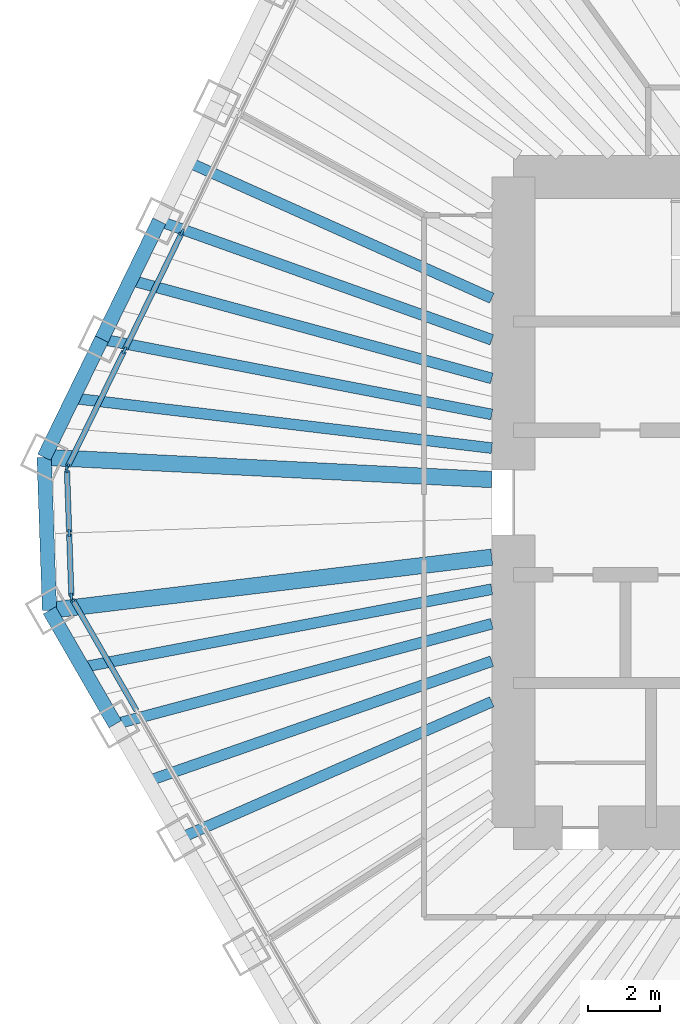
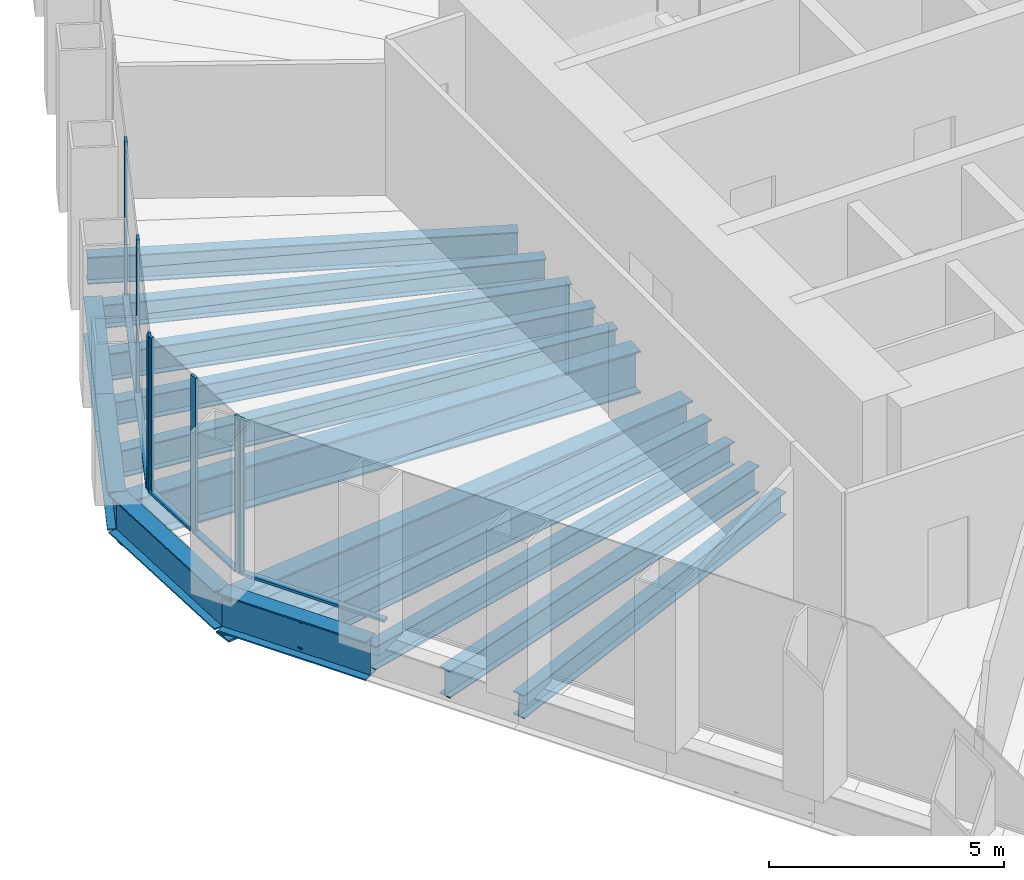
# One storey, part 3 of 13: 15 beams, 12 members, 3 elements without a shape of their own.
"""IFC4 building model written with IfcOpenShell, lengths in metres."""

from ifc_helpers import new_model, si_unit, direction, frame, origin, origin_2d, place, context, subcontext, project, spatial, rectangle, i_section, extrude, material, material_profile, profile_set, type_object, element, aggregate, save


model = new_model("IFC4")

# Units and contexts
model_context = context("Model", 3, precision=1e-05, world=origin(), true_north=direction((0.0, 1.0)))
body_context = subcontext(model_context, "Body", "Model", "MODEL_VIEW")
ifc_project = project(units=[si_unit("LENGTHUNIT", "METRE"), si_unit("AREAUNIT", "SQUARE_METRE"), si_unit("VOLUMEUNIT", "CUBIC_METRE"), si_unit("PLANEANGLEUNIT", "RADIAN"), si_unit("MASSUNIT", "GRAM", prefix="KILO")], contexts=[model_context])

# Site, building, storey
site_placement = place(None, origin())
site = spatial("IfcSite", under=ifc_project, at=site_placement, CompositionType="ELEMENT")
building_placement = place(site_placement, origin())
building = spatial("IfcBuilding", under=site, at=building_placement, Name="Qingtian Harvest Tower", CompositionType="ELEMENT")
storey_placement = place(building_placement, frame((0.0, 0.0, 226.60009765625)))
storey = spatial("IfcBuildingStorey", under=building, at=storey_placement, Name="L49", CompositionType="ELEMENT", Elevation=226.60009765625)

# Beams
ifc_material_1 = material(Name="Steel SM570MC", Category="steel")
ifc_material_profile_1 = material_profile(ifc_material_1, i_section(OverallWidth=0.449951171875, OverallDepth=1.10009765625, WebThickness=0.02197265625, FlangeThickness=0.044921875, at=origin_2d()), Name="H1100x450x22x45")
ifc_profile_set_1 = profile_set([ifc_material_profile_1], Name="Steel SM570MC")
beam_type_1 = type_object("IfcBeamType", Name="Corner floor beam FB8 H1100x450x22x45", PredefinedType="BEAM", material=ifc_profile_set_1)
beam_1_placement = place(storey_placement, frame((-24.833251953125, -2.987548828125, -0.72021484375), z_axis=(0.992841259631, 0.119441337798, 0.0), x_axis=(-0.119441337798, 0.992841259631, 0.0)))
element("IfcBeam", 1, at=beam_1_placement, inside=storey, type_object=beam_type_1, Name="Floor beam FB8 SW6", PredefinedType="BEAM", context=body_context, shape_type="SweptSolid", body=[
    extrude(i_section(OverallWidth=0.449951171875, OverallDepth=1.10009765625, WebThickness=0.02197265625, FlangeThickness=0.044921875, at=origin_2d()), origin(), (0.0, 0.0, 1.0), 12.3212890625),
])
beam_2_placement = place(storey_placement, frame((-24.981201171875, 1.248046875, -0.72021484375), z_axis=(0.998753959075, -0.049905202459, 0.0), x_axis=(0.049905202459, 0.998753959075, 0.0)))
element("IfcBeam", 2, at=beam_2_placement, inside=storey, type_object=beam_type_1, Name="Floor beam FB8 NW0", PredefinedType="BEAM", context=body_context, shape_type="SweptSolid", body=[
    extrude(i_section(OverallWidth=0.449951171875, OverallDepth=1.10009765625, WebThickness=0.02197265625, FlangeThickness=0.044921875, at=origin_2d()), origin(), (0.0, 0.0, 1.0), 12.396484375),
])
ifc_material_2 = material(Name="Steel SN490B", Category="steel")
ifc_material_profile_2 = material_profile(ifc_material_2, i_section(OverallWidth=0.300048828125, OverallDepth=0.60009765625, WebThickness=0.011962890625, FlangeThickness=0.02001953125, at=origin_2d()), Name="H600x300x12x20")
ifc_profile_set_2 = profile_set([ifc_material_profile_2], Name="Steel SN490B")
beam_type_2 = type_object("IfcBeamType", Name="Floor beam FB3 H600x300x12x20", PredefinedType="BEAM", material=ifc_profile_set_2)
beam_3_placement = place(storey_placement, frame((-21.19970703125, -9.281005859375, -0.47021484375), z_axis=(0.916057031544, 0.401048020765, 0.0), x_axis=(-0.401048020765, 0.916057031544, 0.0)))
element("IfcBeam", 3, at=beam_3_placement, inside=storey, type_object=beam_type_2, Name="Floor beam FB3 SW4", PredefinedType="BEAM", context=body_context, shape_type="SweptSolid", body=[
    extrude(i_section(OverallWidth=0.300048828125, OverallDepth=0.60009765625, WebThickness=0.011962890625, FlangeThickness=0.02001953125, at=origin_2d()), origin(), (0.0, 0.0, 1.0), 9.3876953125),
])
beam_4_placement = place(storey_placement, frame((-23.016357421875, -6.13427734375, -0.47021484375), z_axis=(0.966270640629, 0.257528734433, 0.0), x_axis=(-0.257528734433, 0.966270640629, 0.0)))
element("IfcBeam", 4, at=beam_4_placement, inside=storey, type_object=beam_type_2, Name="Floor beam FB3 SW5", PredefinedType="BEAM", context=body_context, shape_type="SweptSolid", body=[
    extrude(i_section(OverallWidth=0.300048828125, OverallDepth=0.60009765625, WebThickness=0.011962890625, FlangeThickness=0.02001953125, at=origin_2d()), origin(), (0.0, 0.0, 1.0), 10.77978515625),
])
beam_5_placement = place(storey_placement, frame((-23.388427734375, 4.513916015625, -0.47021484375), z_axis=(0.981878004162, -0.189514075845, 0.0), x_axis=(0.189514075845, 0.981878004162, 0.0)))
element("IfcBeam", 5, at=beam_5_placement, inside=storey, type_object=beam_type_2, Name="Floor beam FB3 NW1", PredefinedType="BEAM", context=body_context, shape_type="SweptSolid", body=[
    extrude(i_section(OverallWidth=0.300048828125, OverallDepth=0.60009765625, WebThickness=0.011962890625, FlangeThickness=0.02001953125, at=origin_2d()), origin(), (0.0, 0.0, 1.0), 10.987548828125),
])
beam_6_placement = place(storey_placement, frame((-21.79541015625, 7.779541015625, -0.47021484375), z_axis=(0.941800733255, -0.336171650857, 0.0), x_axis=(0.336171650857, 0.941800733255, 0.0)))
element("IfcBeam", 6, at=beam_6_placement, inside=storey, type_object=beam_type_2, Name="Floor beam FB3 NW2", PredefinedType="BEAM", context=body_context, shape_type="SweptSolid", body=[
    extrude(i_section(OverallWidth=0.300048828125, OverallDepth=0.60009765625, WebThickness=0.011962890625, FlangeThickness=0.02001953125, at=origin_2d()), origin(), (0.0, 0.0, 1.0), 9.763427734375),
])
ifc_material_3 = material(Name="Steel SN490B", Category="steel")
ifc_material_profile_3 = material_profile(ifc_material_3, i_section(OverallWidth=0.300048828125, OverallDepth=0.699951171875, WebThickness=0.012939453125, FlangeThickness=0.02392578125, at=origin_2d()), Name="H700x300x13x24")
ifc_profile_set_3 = profile_set([ifc_material_profile_3], Name="Steel SN490B")
beam_type_3 = type_object("IfcBeamType", Name="Floor joist J2 H700x300x13x24", PredefinedType="JOIST", material=ifc_profile_set_3)
beam_7_placement = place(storey_placement, frame((-22.108154296875, -7.707763671875, -0.52001953125), z_axis=(0.944256456951, 0.329210788868, 0.0), x_axis=(-0.329210788868, 0.944256456951, 0.0)))
element("IfcBeam", 7, at=beam_7_placement, inside=storey, type_object=beam_type_3, Name="Floor joist J2 SW4", PredefinedType="JOIST", context=body_context, shape_type="SweptSolid", body=[
    extrude(i_section(OverallWidth=0.300048828125, OverallDepth=0.699951171875, WebThickness=0.012939453125, FlangeThickness=0.02392578125, at=origin_2d()), origin(), (0.0, 0.0, 1.0), 10.0693359375),
])
beam_8_placement = place(storey_placement, frame((-23.9248046875, -4.56103515625, -0.52001953125), z_axis=(0.982309082743, 0.187266830912, 0.0), x_axis=(-0.187266830912, 0.982309082743, 0.0)))
element("IfcBeam", 8, at=beam_8_placement, inside=storey, type_object=beam_type_3, Name="Floor joist J2 SW5", PredefinedType="JOIST", context=body_context, shape_type="SweptSolid", body=[
    extrude(i_section(OverallWidth=0.300048828125, OverallDepth=0.699951171875, WebThickness=0.012939453125, FlangeThickness=0.02392578125, at=origin_2d()), origin(), (0.0, 0.0, 1.0), 11.528564453125),
])
beam_9_placement = place(storey_placement, frame((-24.184814453125, 2.880859375, -0.52001953125), z_axis=(0.992980727423, -0.11827626544, 0.0), x_axis=(0.11827626544, 0.992980727423, 0.0)))
element("IfcBeam", 9, at=beam_9_placement, inside=storey, type_object=beam_type_3, Name="Floor joist J2 NW0", PredefinedType="JOIST", context=body_context, shape_type="SweptSolid", body=[
    extrude(i_section(OverallWidth=0.300048828125, OverallDepth=0.699951171875, WebThickness=0.012939453125, FlangeThickness=0.02392578125, at=origin_2d()), origin(), (0.0, 0.0, 1.0), 11.66650390625),
])
beam_10_placement = place(storey_placement, frame((-22.591796875, 6.146728515625, -0.52001953125), z_axis=(0.964923062728, -0.26253282274, 0.0), x_axis=(0.26253282274, 0.964923062728, 0.0)))
element("IfcBeam", 10, at=beam_10_placement, inside=storey, type_object=beam_type_3, Name="Floor joist J2 NW1", PredefinedType="JOIST", context=body_context, shape_type="SweptSolid", body=[
    extrude(i_section(OverallWidth=0.300048828125, OverallDepth=0.699951171875, WebThickness=0.012939453125, FlangeThickness=0.02392578125, at=origin_2d()), origin(), (0.0, 0.0, 1.0), 10.35498046875),
])
beam_11_placement = place(storey_placement, frame((-20.9990234375, 9.41259765625, -0.52001953125), z_axis=(0.912515128421, -0.409042956671, 0.0), x_axis=(0.409042956671, 0.912515128421, 0.0)))
element("IfcBeam", 11, at=beam_11_placement, inside=storey, type_object=beam_type_3, Name="Floor joist J2 NW2", PredefinedType="JOIST", context=body_context, shape_type="SweptSolid", body=[
    extrude(i_section(OverallWidth=0.300048828125, OverallDepth=0.699951171875, WebThickness=0.012939453125, FlangeThickness=0.02392578125, at=origin_2d()), origin(), (0.0, 0.0, 1.0), 9.2041015625),
])

# Curtain wall, member
ifc_material_4 = material(Name="Bronze-anodised aluminium curtain wall", Category="aluminium")
curtain_wall_type = type_object("IfcCurtainWallType", Name="Curtain wall CW4 office", PredefinedType="USERDEFINED", material=ifc_material_4)
curtain_wall_1_placement = place(storey_placement, origin())
curtain_wall_1 = element("IfcCurtainWall", 12, at=curtain_wall_1_placement, inside=storey, type_object=curtain_wall_type, Name="Curtain wall CW4 L49 SW0-5", ObjectType="RECESSED CURTAIN WALL", PredefinedType="USERDEFINED")
ifc_material_5 = material(Name="Bronze-anodised aluminium mullion", Category="aluminium")
ifc_material_profile_4 = material_profile(ifc_material_5, rectangle(XDim=0.06494140625, YDim=0.199951171875, at=origin_2d()), Name="AL 65x200")
ifc_profile_set_4 = profile_set([ifc_material_profile_4], Name="Bronze-anodised aluminium mullion")
member_type_1 = type_object("IfcMemberType", Name="Mullion CWM 65x200", PredefinedType="MULLION", material=ifc_profile_set_4)
member_1_placement = place(storey_placement, frame((-24.210693359375, -2.665771484375, 0.0), z_axis=(0.0, 0.0, 1.0), x_axis=(-0.866025403784, -0.5, 0.0)))
member_1 = element("IfcMember", 13, at=member_1_placement, type_object=member_type_1, Name="CW4 mullion 7", PredefinedType="MULLION", context=body_context, shape_type="SweptSolid", body=[
    extrude(rectangle(XDim=0.06494140625, YDim=0.199951171875, at=origin_2d()), origin(), (0.0, 0.0, 1.0), 4.02978515625),
])

# Curtain wall, members
curtain_wall_2_placement = place(storey_placement, origin())
curtain_wall_2 = element("IfcCurtainWall", 14, at=curtain_wall_2_placement, inside=storey, type_object=curtain_wall_type, Name="Curtain wall CW4 L49 SWC", ObjectType="RECESSED CURTAIN WALL", PredefinedType="USERDEFINED")
member_2_placement = place(storey_placement, frame((-24.228271484375, -2.60498046875, 0.0), z_axis=(0.0, 0.0, 1.0), x_axis=(-0.999390827019, -0.034899496703, 0.0)))
member_2 = element("IfcMember", 15, at=member_2_placement, type_object=member_type_1, Name="CW4 mullion 1", PredefinedType="MULLION", context=body_context, shape_type="SweptSolid", body=[
    extrude(rectangle(XDim=0.06494140625, YDim=0.199951171875, at=origin_2d()), origin(), (0.0, 0.0, 1.0), 4.02978515625),
])
member_3_placement = place(storey_placement, frame((-24.28955078125, -0.84814453125, 0.0), z_axis=(0.0, 0.0, 1.0), x_axis=(-0.999390827019, -0.034899496703, 0.0)))
member_3 = element("IfcMember", 16, at=member_3_placement, type_object=member_type_1, Name="CW4 mullion 2", PredefinedType="MULLION", context=body_context, shape_type="SweptSolid", body=[
    extrude(rectangle(XDim=0.06494140625, YDim=0.199951171875, at=origin_2d()), origin(), (0.0, 0.0, 1.0), 4.02978515625),
])
member_4_placement = place(storey_placement, frame((-24.350830078125, 0.90869140625, 0.0), z_axis=(0.0, 0.0, 1.0), x_axis=(-0.999390827019, -0.034899496703, 0.0)))
member_4 = element("IfcMember", 17, at=member_4_placement, type_object=member_type_1, Name="CW4 mullion 3", PredefinedType="MULLION", context=body_context, shape_type="SweptSolid", body=[
    extrude(rectangle(XDim=0.06494140625, YDim=0.199951171875, at=origin_2d()), origin(), (0.0, 0.0, 1.0), 4.02978515625),
])

curtain_wall_3_placement = place(storey_placement, origin())
curtain_wall_3 = element("IfcCurtainWall", 18, at=curtain_wall_3_placement, inside=storey, type_object=curtain_wall_type, Name="Curtain wall CW4 L49 NW0-5", ObjectType="RECESSED CURTAIN WALL", PredefinedType="USERDEFINED")
member_5_placement = place(storey_placement, frame((-24.337646484375, 0.970458984375, 0.0), z_axis=(0.0, 0.0, 1.0), x_axis=(-0.898794046299, 0.438371146789, 0.0)))
member_5 = element("IfcMember", 19, at=member_5_placement, type_object=member_type_1, Name="CW4 mullion 1", PredefinedType="MULLION", context=body_context, shape_type="SweptSolid", body=[
    extrude(rectangle(XDim=0.06494140625, YDim=0.199951171875, at=origin_2d()), origin(), (0.0, 0.0, 1.0), 4.02978515625),
])
member_6_placement = place(storey_placement, frame((-22.759033203125, 4.20703125, 0.0), z_axis=(0.0, 0.0, 1.0), x_axis=(-0.898794046299, 0.438371146789, 0.0)))
member_6 = element("IfcMember", 20, at=member_6_placement, type_object=member_type_1, Name="CW4 mullion 2", PredefinedType="MULLION", context=body_context, shape_type="SweptSolid", body=[
    extrude(rectangle(XDim=0.06494140625, YDim=0.199951171875, at=origin_2d()), origin(), (0.0, 0.0, 1.0), 4.02978515625),
])
member_7_placement = place(storey_placement, frame((-21.166259765625, 7.47265625, 0.0), z_axis=(0.0, 0.0, 1.0), x_axis=(-0.898794046299, 0.438371146789, 0.0)))
member_7 = element("IfcMember", 21, at=member_7_placement, type_object=member_type_1, Name="CW4 mullion 3", PredefinedType="MULLION", context=body_context, shape_type="SweptSolid", body=[
    extrude(rectangle(XDim=0.06494140625, YDim=0.199951171875, at=origin_2d()), origin(), (0.0, 0.0, 1.0), 4.02978515625),
])

# Beams
ifc_material_6 = material(Name="Steel SN490B", Category="steel")
ifc_material_profile_5 = material_profile(ifc_material_6, i_section(OverallWidth=0.39990234375, OverallDepth=1.0, WebThickness=0.01904296875, FlangeThickness=0.035888671875, at=origin_2d()), Name="H1000x400x19x36")
ifc_profile_set_5 = profile_set([ifc_material_profile_5], Name="Steel SN490B")
beam_type_4 = type_object("IfcBeamType", Name="Spandrel beam SB3 H1000x400x19x36", PredefinedType="SPANDREL", material=ifc_profile_set_5)
beam_12_placement = place(storey_placement, frame((-23.016357421875, -6.13427734375, -0.5), z_axis=(-0.500026827678, 0.866009914263, 0.0), x_axis=(-0.866009914263, -0.500026827678, 0.0)))
element("IfcBeam", 22, at=beam_12_placement, inside=storey, type_object=beam_type_4, Name="Spandrel SB3 SW5", PredefinedType="SPANDREL", context=body_context, shape_type="SweptSolid", body=[
    extrude(i_section(OverallWidth=0.39990234375, OverallDepth=1.0, WebThickness=0.01904296875, FlangeThickness=0.035888671875, at=origin_2d()), origin(), (0.0, 0.0, 1.0), 3.633544921875),
])
beam_13_placement = place(storey_placement, frame((-24.833251953125, -2.987548828125, -0.5), z_axis=(-0.034908677553, 0.999390506375, 0.0), x_axis=(-0.999390506375, -0.034908677553, 0.0)))
element("IfcBeam", 23, at=beam_13_placement, inside=storey, type_object=beam_type_4, Name="Spandrel SB3 SWC", PredefinedType="SPANDREL", context=body_context, shape_type="SweptSolid", body=[
    extrude(i_section(OverallWidth=0.39990234375, OverallDepth=1.0, WebThickness=0.01904296875, FlangeThickness=0.035888671875, at=origin_2d()), origin(), (0.0, 0.0, 1.0), 4.23828125),
])
for number, where, z_axis, x_axis, name in (
    (24, (-24.981201171875, 1.248046875, -0.5), (0.438349498419, 0.898804604592, 0.0), (-0.898804604592, 0.438349498419, 0.0), "Spandrel SB3 NW0"),
    (25, (-23.388427734375, 4.513916015625, -0.5), (0.438430251153, 0.898765216769, 0.0), (-0.898765216769, 0.438430251153, 0.0), "Spandrel SB3 NW1"),
):
    element("IfcBeam", number, at=place(storey_placement, frame(where, z_axis=z_axis, x_axis=x_axis)), inside=storey, type_object=beam_type_4, Name=name, PredefinedType="SPANDREL", context=body_context, shape_type="SweptSolid", body=[
        extrude(i_section(OverallWidth=0.39990234375, OverallDepth=1.0, WebThickness=0.01904296875, FlangeThickness=0.035888671875, at=origin_2d()), origin(), (0.0, 0.0, 1.0), 3.633544921875),
    ])

# Member
ifc_material_7 = material(Name="Bronze-anodised aluminium transom", Category="aluminium")
ifc_material_profile_6 = material_profile(ifc_material_7, rectangle(XDim=0.14990234375, YDim=0.06494140625, at=origin_2d()), Name="AL 65x150")
ifc_profile_set_6 = profile_set([ifc_material_profile_6], Name="Bronze-anodised aluminium transom")
member_type_2 = type_object("IfcMemberType", Name="Transom CWT 65x150", PredefinedType="USERDEFINED", material=ifc_profile_set_6)
member_8_placement = place(storey_placement, frame((-22.426513671875, -5.756103515625, 0.032470703125), z_axis=(-0.500015305566, 0.866016566931, 0.0), x_axis=(-0.866016566931, -0.500015305566, 0.0)))
member_8 = element("IfcMember", 26, at=member_8_placement, type_object=member_type_2, Name="CW4 transom 6.1", ObjectType="TRANSOM", PredefinedType="USERDEFINED", context=body_context, shape_type="SweptSolid", body=[
    extrude(rectangle(XDim=0.14990234375, YDim=0.06494140625, at=origin_2d()), origin(), (0.0, 0.0, 1.0), 3.5361328125),
])

aggregate(curtain_wall_1, [member_1, member_8])

member_9_placement = place(storey_placement, frame((-24.229248046875, -2.572509765625, 0.032470703125), z_axis=(-0.034899362377, 0.99939083171, 0.0), x_axis=(-0.99939083171, -0.034899362377, 0.0)))
member_9 = element("IfcMember", 27, at=member_9_placement, type_object=member_type_2, Name="CW4 transom 1.1", ObjectType="TRANSOM", PredefinedType="USERDEFINED", context=body_context, shape_type="SweptSolid", body=[
    extrude(rectangle(XDim=0.14990234375, YDim=0.06494140625, at=origin_2d()), origin(), (0.0, 0.0, 1.0), 1.69287109375),
])

member_10_placement = place(storey_placement, frame((-24.29052734375, -0.815673828125, 0.032470703125), z_axis=(-0.034899362377, 0.99939083171, 0.0), x_axis=(-0.99939083171, -0.034899362377, 0.0)))
member_10 = element("IfcMember", 28, at=member_10_placement, type_object=member_type_2, Name="CW4 transom 2.1", ObjectType="TRANSOM", PredefinedType="USERDEFINED", context=body_context, shape_type="SweptSolid", body=[
    extrude(rectangle(XDim=0.14990234375, YDim=0.06494140625, at=origin_2d()), origin(), (0.0, 0.0, 1.0), 1.69287109375),
])

aggregate(curtain_wall_2, [member_2, member_3, member_4, member_9, member_10])

member_11_placement = place(storey_placement, frame((-24.323486328125, 0.99951171875, 0.032470703125), z_axis=(0.438354255898, 0.898802284341, 0.0), x_axis=(-0.898802284341, 0.438354255898, 0.0)))
member_11 = element("IfcMember", 29, at=member_11_placement, type_object=member_type_2, Name="CW4 transom 1.1", ObjectType="TRANSOM", PredefinedType="USERDEFINED", context=body_context, shape_type="SweptSolid", body=[
    extrude(rectangle(XDim=0.14990234375, YDim=0.06494140625, at=origin_2d()), origin(), (0.0, 0.0, 1.0), 3.5361328125),
])

member_12_placement = place(storey_placement, frame((-22.744873046875, 4.236083984375, 0.032470703125), z_axis=(0.438325233634, 0.89881643819, 0.0), x_axis=(-0.89881643819, 0.438325233634, 0.0)))
member_12 = element("IfcMember", 30, at=member_12_placement, type_object=member_type_2, Name="CW4 transom 2.1", ObjectType="TRANSOM", PredefinedType="USERDEFINED", context=body_context, shape_type="SweptSolid", body=[
    extrude(rectangle(XDim=0.14990234375, YDim=0.06494140625, at=origin_2d()), origin(), (0.0, 0.0, 1.0), 3.568603515625),
])

aggregate(curtain_wall_3, [member_5, member_6, member_7, member_11, member_12])

save(model, "model.ifc")
